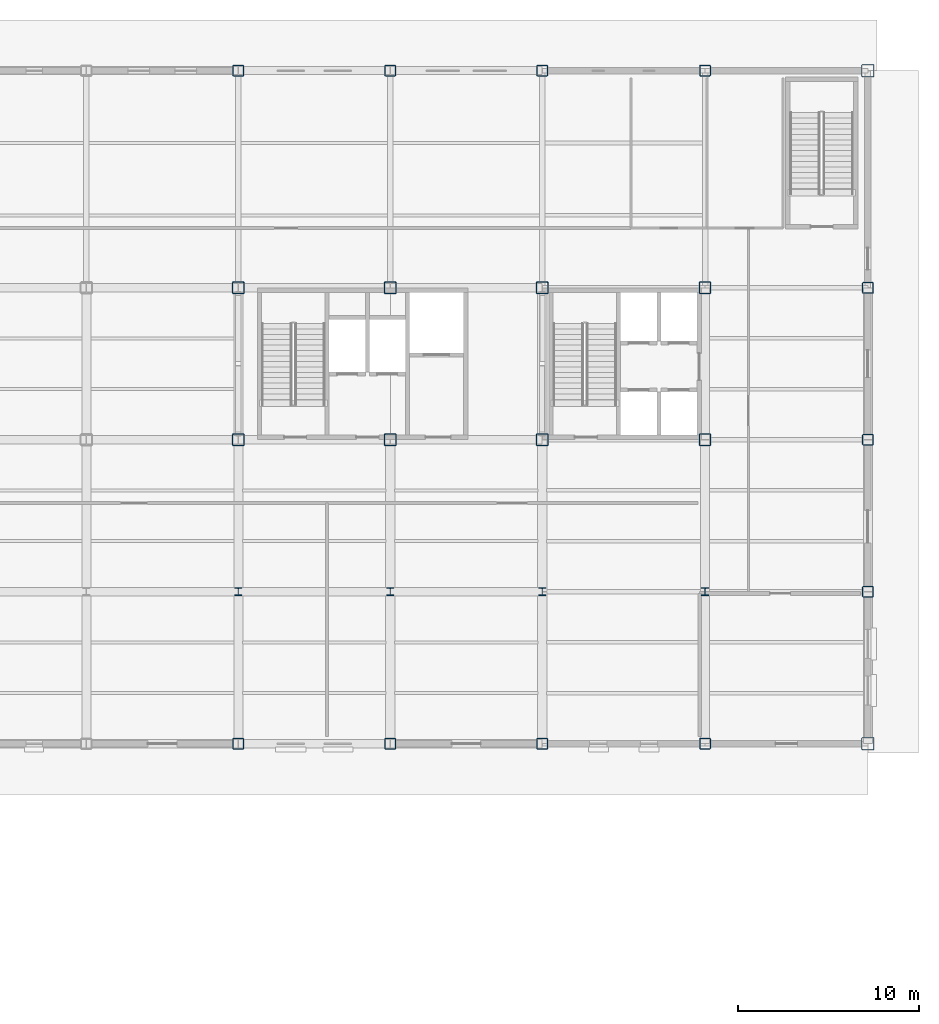
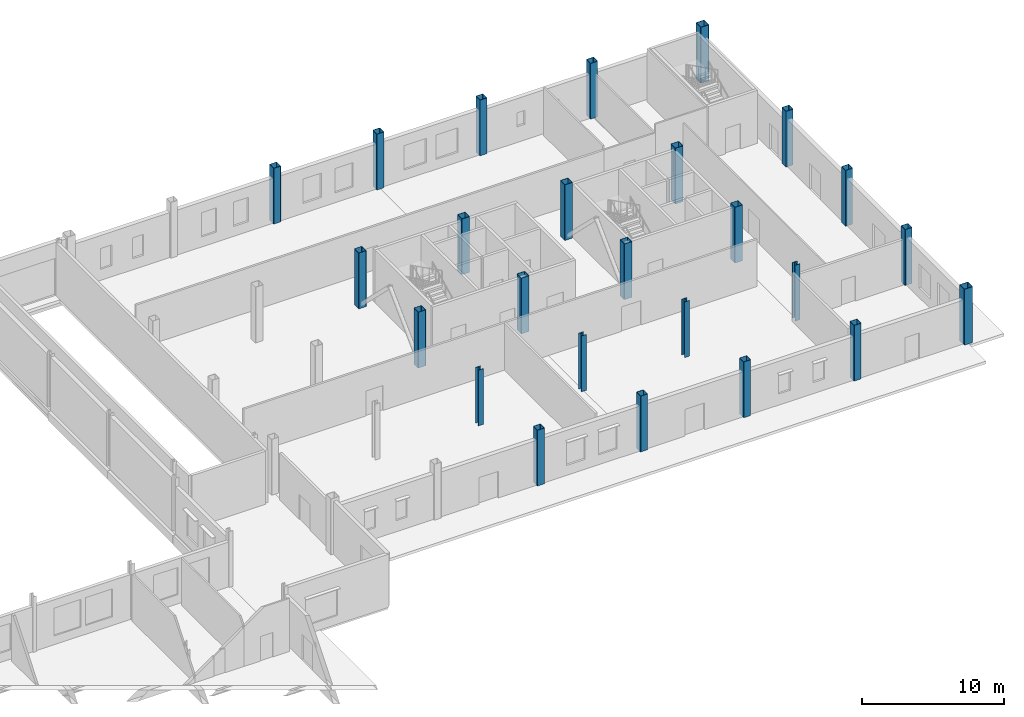
# One storey, part 14 of 82: 25 columns.
"""IFC4 building model written with IfcOpenShell, lengths in metres."""

from ifc_helpers import new_model, si_unit, direction, frame, origin, origin_2d, place, context, subcontext, project, spatial, hollow_rectangle, i_section, extrude, material, material_profile, profile_set, type_object, element, save


model = new_model("IFC4")

# Units and contexts
model_context = context("Model", 3, precision=1e-05, world=origin(), true_north=direction((0.0, 1.0)))
body_context = subcontext(model_context, "Body", "Model", "MODEL_VIEW")
ifc_project = project(units=[si_unit("LENGTHUNIT", "METRE"), si_unit("AREAUNIT", "SQUARE_METRE"), si_unit("VOLUMEUNIT", "CUBIC_METRE"), si_unit("PLANEANGLEUNIT", "RADIAN"), si_unit("MASSUNIT", "GRAM", prefix="KILO")], contexts=[model_context])

# Site, building, storey
site_placement = place(None, origin())
site = spatial("IfcSite", under=ifc_project, at=site_placement, CompositionType="ELEMENT")
building_placement = place(site_placement, origin())
building = spatial("IfcBuilding", under=site, at=building_placement, Name="Yukiwa Park Conservatory and Herbarium", CompositionType="ELEMENT")
storey_placement = place(building_placement, origin())
storey = spatial("IfcBuildingStorey", under=building, at=storey_placement, Name="L00", CompositionType="ELEMENT", Elevation=0.0)

# Columns
ifc_material_1 = material(Name="Steel Q355D", Category="steel")
ifc_material_profile_1 = material_profile(ifc_material_1, hollow_rectangle(XDim=0.60009765625, YDim=0.60009765625, WallThickness=0.02490234375, InnerFilletRadius=0.02490234375, OuterFilletRadius=0.050048828125, at=origin_2d()), Name="BOX 600x600x25")
ifc_profile_set_1 = profile_set([ifc_material_profile_1], Name="Steel Q355D")
column_type_1 = type_object("IfcColumnType", Name="COL-TW-BOX600-EXT", PredefinedType="COLUMN", material=ifc_profile_set_1)
for number, where, z_axis, x_axis, name in (
    (1, (133.199951171875, 78.0, 0.0), (0.0, 0.0, 1.0), (1.0, 0.0, 0.0), "L00 column V5-X1332-Y780"),
    (2, (133.199951171875, 115.199951171875, 0.0), (0.0, 0.0, 1.0), (1.0, 0.0, 0.0), "L00 column V5-X1332-Y1152"),
    (3, (141.60009765625, 78.0, 0.0), (0.0, 0.0, 1.0), (1.0, 0.0, 0.0), "L00 column V5-X1416-Y780"),
    (4, (141.60009765625, 115.199951171875, 0.0), (0.0, 0.0, 1.0), (1.0, 0.0, 0.0), "L00 column V5-X1416-Y1152"),
    (5, (150.0, 78.0, 0.0), (0.0, 0.0, 1.0), (1.0, 0.0, 0.0), "L00 column V5-X1500-Y780"),
    (6, (150.0, 115.199951171875, 0.0), (0.0, 0.0, 1.0), (1.0, 0.0, 0.0), "L00 column V5-X1500-Y1152"),
    (7, (159.0, 78.0, 0.0), (0.0, 0.0, 1.0), (1.0, 0.0, 0.0), "L00 column V5-X1590-Y780"),
    (8, (159.0, 115.199951171875, 0.0), (0.0, 0.0, 1.0), (1.0, 0.0, 0.0), "L00 column V5-X1590-Y1152"),
    (9, (168.0, 86.39990234375, 0.0), (0.0, 0.0, 1.0), (1.0, 0.0, 0.0), "L00 column V5-X1680-Y864"),
    (10, (168.0, 94.800048828125, 0.0), (0.0, 0.0, 1.0), (1.0, 0.0, 0.0), "L00 column V5-X1680-Y948"),
    (11, (168.0, 103.199951171875, 0.0), (0.0, 0.0, 1.0), (1.0, 0.0, 0.0), "L00 column V5-X1680-Y1032"),
):
    element("IfcColumn", number, at=place(storey_placement, frame(where, z_axis=z_axis, x_axis=x_axis)), inside=storey, type_object=column_type_1, Name=name, PredefinedType="COLUMN", context=body_context, shape_type="SweptSolid", body=[
        extrude(hollow_rectangle(XDim=0.60009765625, YDim=0.60009765625, WallThickness=0.02490234375, InnerFilletRadius=0.02490234375, OuterFilletRadius=0.050048828125, at=origin_2d()), origin(), (0.0, 0.0, 1.0), 4.800048828125),
    ])
ifc_material_2 = material(Name="Steel Q355D", Category="steel")
ifc_material_profile_2 = material_profile(ifc_material_2, hollow_rectangle(XDim=0.64990234375, YDim=0.64990234375, WallThickness=0.028076171875, InnerFilletRadius=0.028076171875, OuterFilletRadius=0.055908203125, at=origin_2d()), Name="BOX 650x650x28")
ifc_profile_set_2 = profile_set([ifc_material_profile_2], Name="Steel Q355D")
column_type_2 = type_object("IfcColumnType", Name="COL-TW-BOX650", PredefinedType="COLUMN", material=ifc_profile_set_2)
for number, where, z_axis, x_axis, name in (
    (12, (133.199951171875, 94.800048828125, 0.0), (0.0, 0.0, 1.0), (1.0, 0.0, 0.0), "L00 column V5-X1332-Y948"),
    (13, (133.199951171875, 103.199951171875, 0.0), (0.0, 0.0, 1.0), (1.0, 0.0, 0.0), "L00 column V5-X1332-Y1032"),
    (14, (141.60009765625, 94.800048828125, 0.0), (0.0, 0.0, 1.0), (1.0, 0.0, 0.0), "L00 column V5-X1416-Y948"),
    (15, (141.60009765625, 103.199951171875, 0.0), (0.0, 0.0, 1.0), (1.0, 0.0, 0.0), "L00 column V5-X1416-Y1032"),
    (16, (150.0, 94.800048828125, 0.0), (0.0, 0.0, 1.0), (1.0, 0.0, 0.0), "L00 column V5-X1500-Y948"),
    (17, (150.0, 103.199951171875, 0.0), (0.0, 0.0, 1.0), (1.0, 0.0, 0.0), "L00 column V5-X1500-Y1032"),
    (18, (159.0, 94.800048828125, 0.0), (0.0, 0.0, 1.0), (1.0, 0.0, 0.0), "L00 column V5-X1590-Y948"),
    (19, (159.0, 103.199951171875, 0.0), (0.0, 0.0, 1.0), (1.0, 0.0, 0.0), "L00 column V5-X1590-Y1032"),
):
    element("IfcColumn", number, at=place(storey_placement, frame(where, z_axis=z_axis, x_axis=x_axis)), inside=storey, type_object=column_type_2, Name=name, PredefinedType="COLUMN", context=body_context, shape_type="SweptSolid", body=[
        extrude(hollow_rectangle(XDim=0.64990234375, YDim=0.64990234375, WallThickness=0.028076171875, InnerFilletRadius=0.028076171875, OuterFilletRadius=0.055908203125, at=origin_2d()), origin(), (0.0, 0.0, 1.0), 4.800048828125),
    ])
ifc_material_3 = material(Name="Steel Q355D", Category="steel")
ifc_material_profile_3 = material_profile(ifc_material_3, hollow_rectangle(XDim=0.699951171875, YDim=0.699951171875, WallThickness=0.031982421875, InnerFilletRadius=0.031982421875, OuterFilletRadius=0.06396484375, at=origin_2d()), Name="BOX 700x700x32")
ifc_profile_set_3 = profile_set([ifc_material_profile_3], Name="Steel Q355D")
column_type_3 = type_object("IfcColumnType", Name="COL-TW-BOX700-EXT", PredefinedType="COLUMN", material=ifc_profile_set_3)
for number, where, z_axis, x_axis, name in (
    (20, (168.0, 78.0, 0.0), (0.0, 0.0, 1.0), (1.0, 0.0, 0.0), "L00 column V5-X1680-Y780"),
    (21, (168.0, 115.199951171875, 0.0), (0.0, 0.0, 1.0), (1.0, 0.0, 0.0), "L00 column V5-X1680-Y1152"),
):
    element("IfcColumn", number, at=place(storey_placement, frame(where, z_axis=z_axis, x_axis=x_axis)), inside=storey, type_object=column_type_3, Name=name, PredefinedType="COLUMN", context=body_context, shape_type="SweptSolid", body=[
        extrude(hollow_rectangle(XDim=0.699951171875, YDim=0.699951171875, WallThickness=0.031982421875, InnerFilletRadius=0.031982421875, OuterFilletRadius=0.06396484375, at=origin_2d()), origin(), (0.0, 0.0, 1.0), 4.800048828125),
    ])
ifc_material_4 = material(Name="Steel Q355D", Category="steel")
ifc_material_profile_4 = material_profile(ifc_material_4, i_section(OverallWidth=0.406982421875, OverallDepth=0.427978515625, WebThickness=0.02001953125, FlangeThickness=0.034912109375, FilletRadius=0.02197265625, at=origin_2d()), Name="HW 428x407x20x35")
ifc_profile_set_4 = profile_set([ifc_material_profile_4], Name="Steel Q355D")
column_type_4 = type_object("IfcColumnType", Name="COL-TW-HW428", PredefinedType="COLUMN", material=ifc_profile_set_4)
for number, where, z_axis, x_axis, name in (
    (22, (133.199951171875, 86.39990234375, 0.0), (0.0, 0.0, 1.0), (1.0, 0.0, 0.0), "L00 column V5-X1332-Y864"),
    (23, (141.60009765625, 86.39990234375, 0.0), (0.0, 0.0, 1.0), (1.0, 0.0, 0.0), "L00 column V5-X1416-Y864"),
    (24, (150.0, 86.39990234375, 0.0), (0.0, 0.0, 1.0), (1.0, 0.0, 0.0), "L00 column V5-X1500-Y864"),
    (25, (159.0, 86.39990234375, 0.0), (0.0, 0.0, 1.0), (1.0, 0.0, 0.0), "L00 column V5-X1590-Y864"),
):
    element("IfcColumn", number, at=place(storey_placement, frame(where, z_axis=z_axis, x_axis=x_axis)), inside=storey, type_object=column_type_4, Name=name, PredefinedType="COLUMN", context=body_context, shape_type="SweptSolid", body=[
        extrude(i_section(OverallWidth=0.406982421875, OverallDepth=0.427978515625, WebThickness=0.02001953125, FlangeThickness=0.034912109375, FilletRadius=0.02197265625, at=origin_2d()), origin(), (0.0, 0.0, 1.0), 4.800048828125),
    ])

save(model, "model.ifc")
